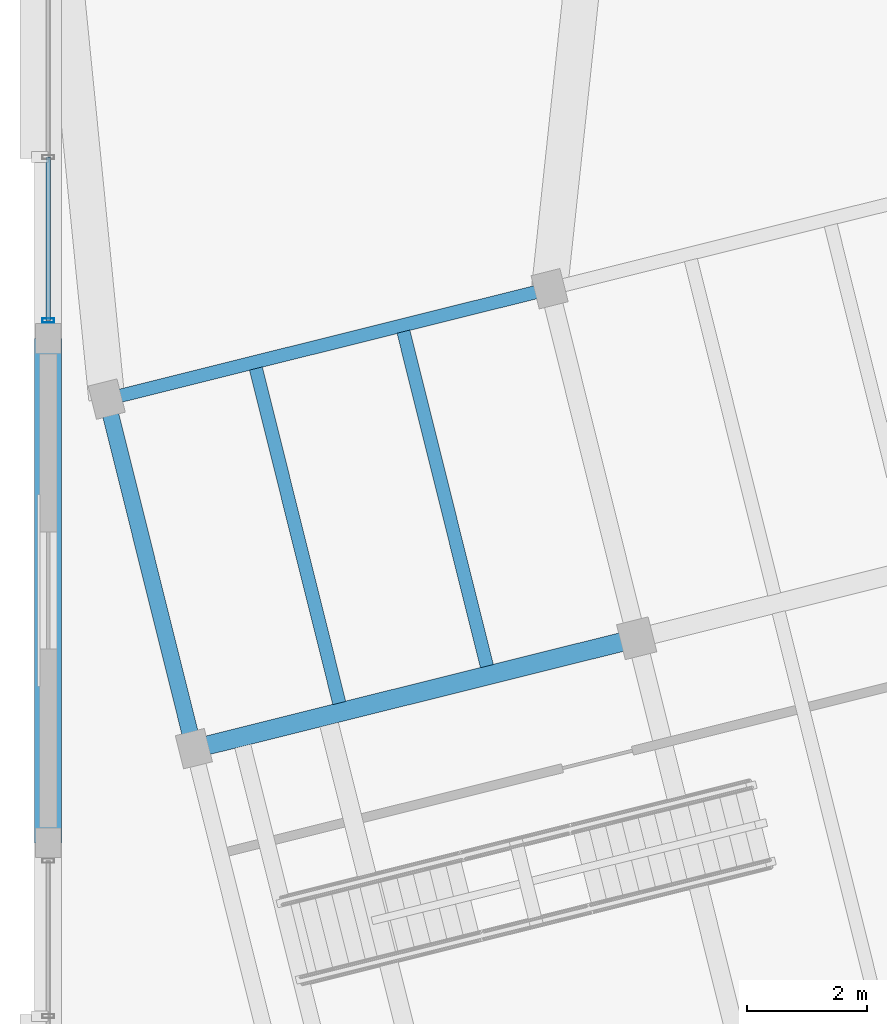
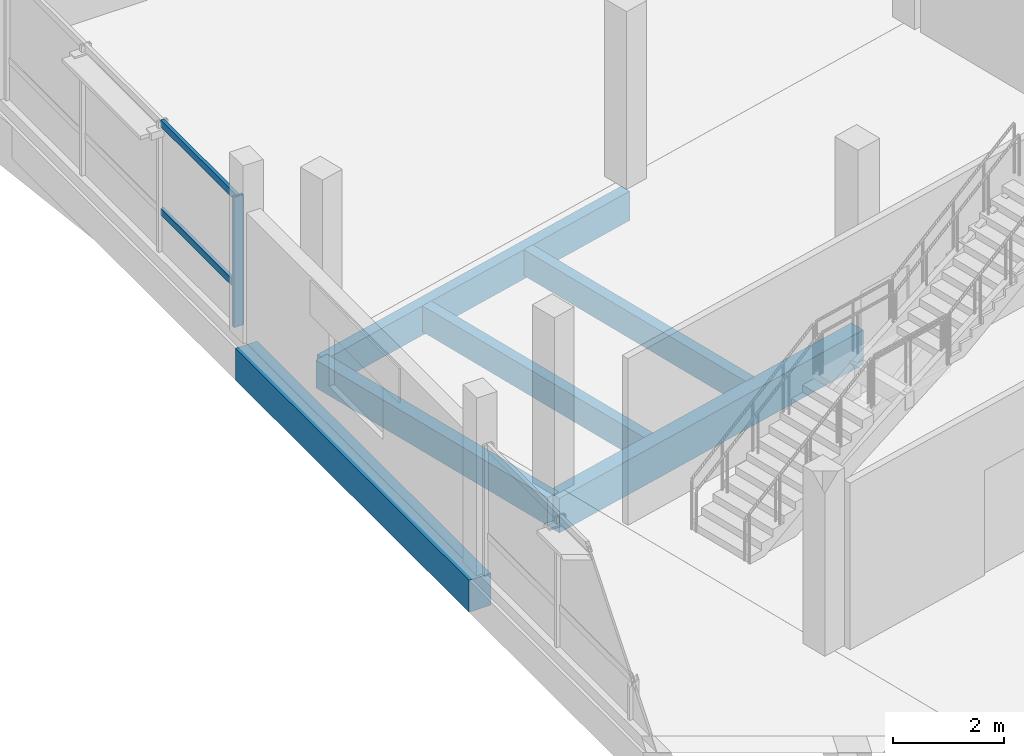
# One storey, part 31 of 62: 6 beams, 3 members, 1 element without a shape of its own.
"""IFC4 building model written with IfcOpenShell, lengths in metres."""

from ifc_helpers import new_model, si_unit, direction, frame, origin, origin_2d, place, context, subcontext, project, spatial, rectangle, hollow_rectangle, extrude, material, layer, layer_set, material_profile, profile_set, type_object, element, aggregate, save


model = new_model("IFC4")

# Units and contexts
model_context = context("Model", 3, precision=1e-05, world=origin(), true_north=direction((0.0, 1.0)))
body_context = subcontext(model_context, "Body", "Model", "MODEL_VIEW")
ifc_project = project(units=[si_unit("LENGTHUNIT", "METRE"), si_unit("AREAUNIT", "SQUARE_METRE"), si_unit("VOLUMEUNIT", "CUBIC_METRE"), si_unit("PLANEANGLEUNIT", "RADIAN"), si_unit("MASSUNIT", "GRAM", prefix="KILO")], contexts=[model_context])

# Site, building, storey
site_placement = place(None, origin())
site = spatial("IfcSite", under=ifc_project, at=site_placement, CompositionType="ELEMENT")
building_placement = place(site_placement, origin())
building = spatial("IfcBuilding", under=site, at=building_placement, Name="Meriwether Solvik Hall", CompositionType="ELEMENT")
storey_placement = place(building_placement, frame((0.0, 0.0, 14.39990234375)))
storey = spatial("IfcBuildingStorey", under=building, at=storey_placement, Name="L03", CompositionType="ELEMENT", Elevation=14.39990234375)

# Beams
ifc_material_1 = material(Name="Glulam Douglas-Fir 24F-V8 GL28h", Category="wood")
ifc_material_profile_1 = material_profile(ifc_material_1, rectangle(XDim=0.221923828125, YDim=0.64501953125, at=origin_2d()), Name="GLB-222X645")
ifc_profile_set_1 = profile_set([ifc_material_profile_1], Name="Glulam Douglas-Fir 24F-V8 GL28h")
beam_type_1 = type_object("IfcBeamType", Name="BM-GL-222X645", PredefinedType="SPANDREL", material=ifc_profile_set_1)
beam_1_placement = place(storey_placement, frame((60.374755859375, 74.18994140625, -0.5673828125), z_axis=(0.970295366785, 0.241923337436, 0.0), x_axis=(-0.241923337436, 0.970295366785, 0.0)))
element("IfcBeam", 1, at=beam_1_placement, inside=storey, type_object=beam_type_1, Name="Tower Girder TF:T1-T2 (L03)", PredefinedType="SPANDREL", context=body_context, shape_type="SweptSolid", body=[
    extrude(rectangle(XDim=0.221923828125, YDim=0.64501953125, at=origin_2d()), origin(), (0.0, 0.0, 1.0), 7.60009765625),
])
ifc_material_2 = material(Name="Glulam Douglas-Fir 24F-V8 GL28h", Category="wood")
ifc_material_profile_2 = material_profile(ifc_material_2, rectangle(XDim=0.27294921875, YDim=0.610107421875, at=origin_2d()), Name="GLB-273X610")
ifc_profile_set_2 = profile_set([ifc_material_profile_2], Name="Glulam Douglas-Fir 24F-V8 GL28h")
beam_type_2 = type_object("IfcBeamType", Name="BM-GL-273X610", PredefinedType="SPANDREL", material=ifc_profile_set_2)
beam_2_placement = place(storey_placement, frame((61.826171875, 68.3681640625, -0.5498046875), z_axis=(-0.241903677572, 0.970300268359, 0.0), x_axis=(-0.970300268359, -0.241903677572, 0.0)))
element("IfcBeam", 2, at=beam_2_placement, inside=storey, type_object=beam_type_2, Name="Tower Girder T1:TE-TF (L03)", PredefinedType="SPANDREL", context=body_context, shape_type="SweptSolid", body=[
    extrude(rectangle(XDim=0.27294921875, YDim=0.610107421875, at=origin_2d()), origin(), (0.0, 0.0, 1.0), 6.0),
])
ifc_material_3 = material(Name="Glulam Douglas-Fir 24F-V8 GL28h", Category="wood")
ifc_material_profile_3 = material_profile(ifc_material_3, rectangle(XDim=0.31494140625, YDim=0.760009765625, at=origin_2d()), Name="GLB-315X760")
ifc_profile_set_3 = profile_set([ifc_material_profile_3], Name="Glulam Douglas-Fir 24F-V8 GL28h")
beam_type_3 = type_object("IfcBeamType", Name="BM-GL-315X760", PredefinedType="BEAM", material=ifc_profile_set_3)
beam_3_placement = place(storey_placement, frame((61.826171875, 68.3681640625, -0.625), z_axis=(0.970295366785, 0.241923337436, 0.0), x_axis=(-0.241923337436, 0.970295366785, 0.0)))
element("IfcBeam", 3, at=beam_3_placement, inside=storey, type_object=beam_type_3, Name="Tower Girder TE:T1-T2 (L03)", PredefinedType="BEAM", context=body_context, shape_type="SweptSolid", body=[
    extrude(rectangle(XDim=0.31494140625, YDim=0.760009765625, at=origin_2d()), origin(), (0.0, 0.0, 1.0), 7.60009765625),
])
ifc_material_4 = material(Name="Concrete C40/50", Category="concrete")
ifc_material_profile_4 = material_profile(ifc_material_4, rectangle(XDim=0.449951171875, YDim=0.699951171875, at=origin_2d()), Name="RCB-450X700")
ifc_profile_set_4 = profile_set([ifc_material_profile_4], Name="Concrete C40/50")
beam_type_4 = type_object("IfcBeamType", Name="BM-RC-450X700", PredefinedType="BEAM", material=ifc_profile_set_4)
beam_4_placement = place(storey_placement, frame((59.39990234375, 66.800048828125, -0.594970703125), z_axis=(0.0, 1.0, 0.0), x_axis=(-1.0, 0.0, 0.0)))
element("IfcBeam", 4, at=beam_4_placement, inside=storey, type_object=beam_type_4, Name="Podium Girder 7:H-I (L03)", PredefinedType="BEAM", context=body_context, shape_type="SweptSolid", body=[
    extrude(rectangle(XDim=0.449951171875, YDim=0.699951171875, at=origin_2d()), origin(), (0.0, 0.0, 1.0), 8.39990234375),
])

# Curtain wall, members
ifc_material_5 = material(Name="Thermally Broken Anodised Aluminium 6063-T6 and Low-E Glass", Category="aluminium")
ifc_layer = layer(ifc_material_5, 0.179931640625)
ifc_layer_set = layer_set([ifc_layer], Name="Thermally Broken Anodised Aluminium 6063-T6 and Low-E Glass")
curtain_wall_type = type_object("IfcCurtainWallType", Name="CW-UNIT-E", PredefinedType="USERDEFINED", material=ifc_layer_set)
curtain_wall_placement = place(storey_placement, origin())
curtain_wall = element("IfcCurtainWall", 5, at=curtain_wall_placement, inside=storey, type_object=curtain_wall_type, Name="Curtain Wall wing_Y7_9_32 (L03)", ObjectType="UNITISED CURTAIN WALL", PredefinedType="USERDEFINED")
ifc_material_6 = material(Name="Anodised Aluminium 6063-T6", Category="aluminium")
ifc_material_profile_5 = material_profile(ifc_material_6, hollow_rectangle(XDim=0.070068359375, YDim=0.199951171875, WallThickness=0.0048828125, at=origin_2d()), Name="CWM-70X200")
ifc_profile_set_5 = profile_set([ifc_material_profile_5], Name="Anodised Aluminium 6063-T6")
member_type_1 = type_object("IfcMemberType", Name="CW-MUL-70X200", PredefinedType="MULLION", material=ifc_profile_set_5)
member_1_placement = place(storey_placement, frame((59.39990234375, 75.49755859375, 0.0), z_axis=(0.0, 0.0, 1.0), x_axis=(0.0, 1.0, 0.0)))
member_1 = element("IfcMember", 6, at=member_1_placement, type_object=member_type_1, Name="Curtain Wall Mullion 1", PredefinedType="MULLION", context=body_context, shape_type="SweptSolid", body=[
    extrude(hollow_rectangle(XDim=0.070068359375, YDim=0.199951171875, WallThickness=0.0048828125, at=origin_2d()), origin(), (0.0, 0.0, 1.0), 2.85498046875),
])
ifc_material_7 = material(Name="Anodised Aluminium 6063-T6", Category="aluminium")
ifc_material_profile_6 = material_profile(ifc_material_7, hollow_rectangle(XDim=0.070068359375, YDim=0.14990234375, WallThickness=0.0048828125, at=origin_2d()), Name="CWT-70X150")
ifc_profile_set_6 = profile_set([ifc_material_profile_6], Name="Anodised Aluminium 6063-T6")
member_type_2 = type_object("IfcMemberType", Name="CW-TRN-70X150", PredefinedType="USERDEFINED", material=ifc_profile_set_6)
member_2_placement = place(storey_placement, frame((59.39990234375, 75.49755859375, 0.856689453125), z_axis=(0.0, 1.0, 0.0), x_axis=(-1.0, 0.0, 0.0)))
member_2 = element("IfcMember", 7, at=member_2_placement, type_object=member_type_2, Name="Curtain Wall Transom 1-sill", ObjectType="TRANSOM", PredefinedType="USERDEFINED", context=body_context, shape_type="SweptSolid", body=[
    extrude(hollow_rectangle(XDim=0.070068359375, YDim=0.14990234375, WallThickness=0.0048828125, at=origin_2d()), origin(), (0.0, 0.0, 1.0), 2.72216796875),
])
member_3_placement = place(storey_placement, frame((59.39990234375, 75.49755859375, 2.795166015625), z_axis=(0.0, 1.0, 0.0), x_axis=(-1.0, 0.0, 0.0)))
member_3 = element("IfcMember", 8, at=member_3_placement, type_object=member_type_2, Name="Curtain Wall Transom 1-head", ObjectType="TRANSOM", PredefinedType="USERDEFINED", context=body_context, shape_type="SweptSolid", body=[
    extrude(hollow_rectangle(XDim=0.070068359375, YDim=0.14990234375, WallThickness=0.0048828125, at=origin_2d()), origin(), (0.0, 0.0, 1.0), 2.72216796875),
])
aggregate(curtain_wall, [member_1, member_2, member_3])

# Beams
ifc_material_8 = material(Name="Glulam Douglas-Fir 24F-V8 GL28h", Category="wood")
ifc_material_profile_7 = material_profile(ifc_material_8, rectangle(XDim=0.221923828125, YDim=0.570068359375, at=origin_2d()), Name="GLJ-222X570")
ifc_profile_set_7 = profile_set([ifc_material_profile_7], Name="Glulam Douglas-Fir 24F-V8 GL28h")
beam_type_5 = type_object("IfcBeamType", Name="JST-GL-222X570", PredefinedType="JOIST", material=ifc_profile_set_7)
beam_5_placement = place(storey_placement, frame((64.247314453125, 69.129150390625, -0.52978515625), z_axis=(-0.241915235082, 0.970297386905, 0.0), x_axis=(-0.970297386905, -0.241915235082, 0.0)))
element("IfcBeam", 9, at=beam_5_placement, inside=storey, type_object=beam_type_5, Name="Glulam Floor Joist T1/TE-J1 (L03)", PredefinedType="JOIST", context=body_context, shape_type="SweptSolid", body=[
    extrude(rectangle(XDim=0.221923828125, YDim=0.570068359375, at=origin_2d()), origin(), (0.0, 0.0, 1.0), 5.741455078125),
])
beam_6_placement = place(storey_placement, frame((66.70556640625, 69.741943359375, -0.52978515625), z_axis=(-0.241945286667, 0.970289893928, 0.0), x_axis=(-0.970289893928, -0.241945286667, 0.0)))
element("IfcBeam", 10, at=beam_6_placement, inside=storey, type_object=beam_type_5, Name="Glulam Floor Joist T1/TE-J2 (L03)", PredefinedType="JOIST", context=body_context, shape_type="SweptSolid", body=[
    extrude(rectangle(XDim=0.221923828125, YDim=0.570068359375, at=origin_2d()), origin(), (0.0, 0.0, 1.0), 5.74169921875),
])

save(model, "model.ifc")
